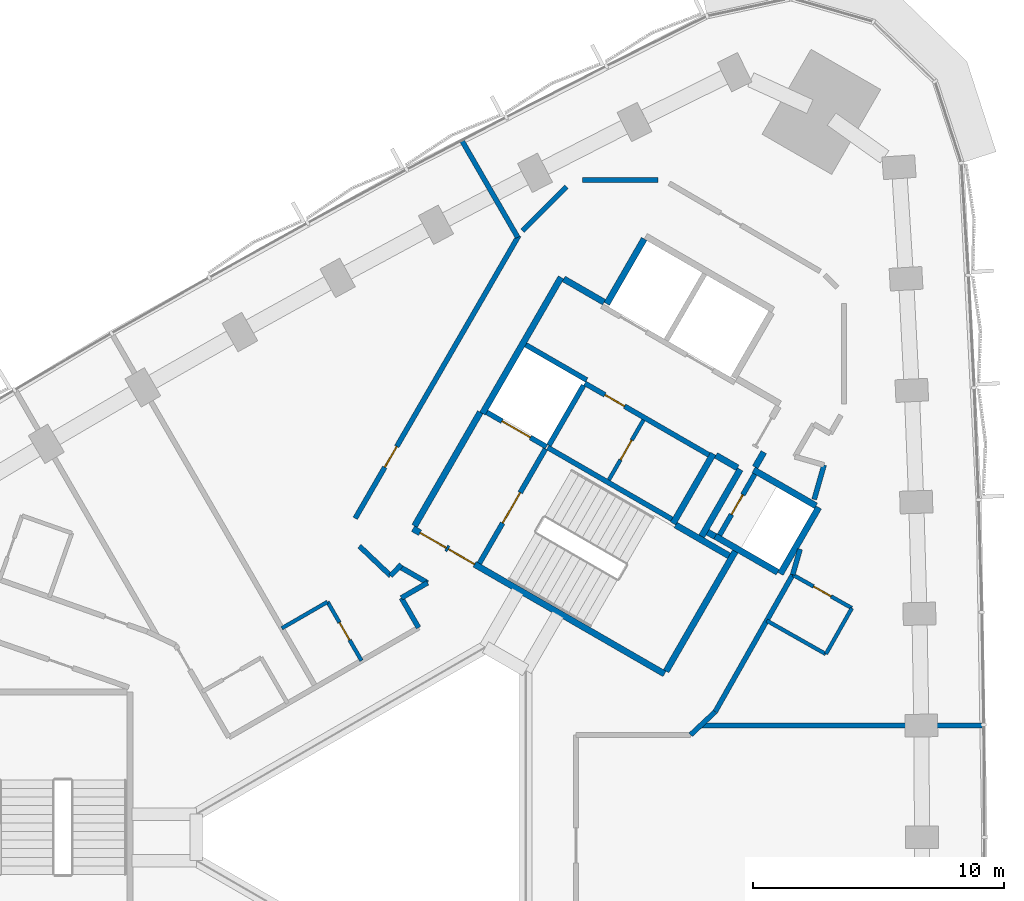
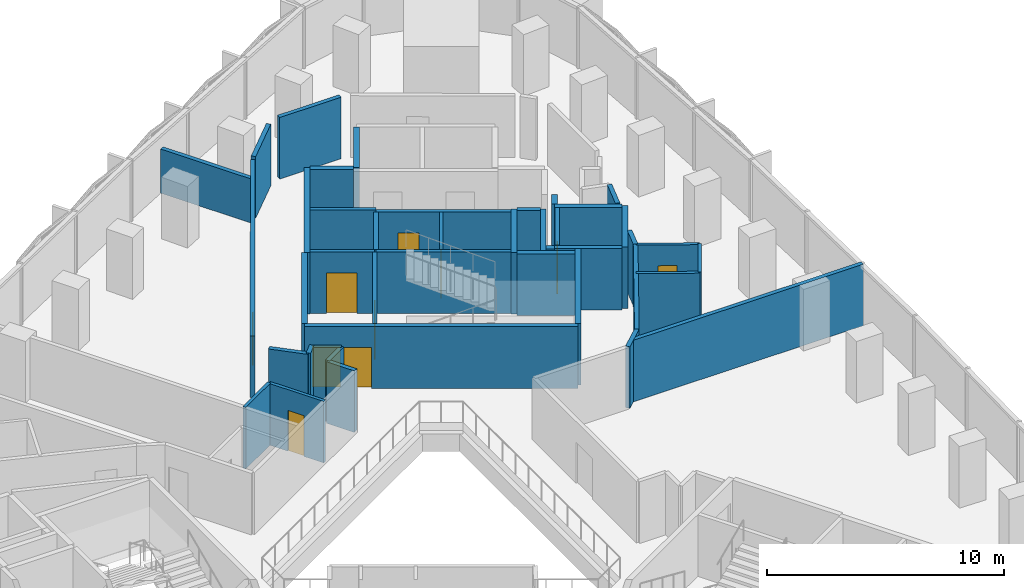
# One storey, part 10 of 15: 42 walls, 10 doors, 10 openings.
"""IFC4 building model written with IfcOpenShell, lengths in metres."""

import ifcopenshell
import ifcopenshell.guid

model = None  # the IFC model being written
_history = None  # IfcOwnerHistory: only IFC2X3 demands one
_inside = {}  # id of a spatial element -> (the spatial element, [elements in it])
_under = {}  # id of a project, library or spatial element -> (it, [spatial elements below it])
_declared = {}  # id of a project -> (the project, [libraries it declares])
_typed = {}  # id of a type object -> (the type object, [elements of that type])
_made_of = {}  # id of a material, layer set ... -> (it, [elements and type objects made of it])


def new_model(schema):
    """Start an empty IFC model of exactly this schema.

    Asked for "IFC4X3", IfcOpenShell would pick the latest addendum, in which some entities
    have other attributes; the version numbers below select the first issue.
    IFC2X3 requires an IfcOwnerHistory on every rooted entity: one is made here for all.
    """
    global model, _history
    if schema == "IFC4X3":
        model = ifcopenshell.file(schema_version=(4, 3, 0, 0))
    else:
        model = ifcopenshell.file(schema=schema)
    _inside.clear()
    _under.clear()
    _declared.clear()
    _typed.clear()
    _made_of.clear()
    _history = None
    if model.schema == "IFC2X3":
        org = make("IfcOrganization", Name="unknown")
        user = make(
            "IfcPersonAndOrganization",
            ThePerson=make("IfcPerson", FamilyName="unknown"),
            TheOrganization=org,
        )
        app = make(
            "IfcApplication",
            ApplicationDeveloper=org,
            Version="unknown",
            ApplicationFullName="unknown",
            ApplicationIdentifier="unknown",
        )
        _history = make(
            "IfcOwnerHistory",
            OwningUser=user,
            OwningApplication=app,
            ChangeAction="ADDED",
            CreationDate=0,
        )
    return model


def make(cls, **values):
    """One entity of the class cls with the attributes given. An attribute that is None is left unset."""
    return model.create_entity(
        cls, **{name: value for name, value in values.items() if value is not None}
    )


def rooted(cls, **values):
    """An entity with a GlobalId (a new one), such as an element, a storey or a relation."""
    return make(cls, GlobalId=ifcopenshell.guid.new(), OwnerHistory=_history, **values)


def si_unit(unit_type, name, prefix=None):
    """IfcSIUnit, for example si_unit("LENGTHUNIT", "METRE", prefix="MILLI")."""
    return make("IfcSIUnit", UnitType=unit_type, Prefix=prefix, Name=name)


def assignment(units):
    """IfcUnitAssignment: the units of a project."""
    return None if units is None else make("IfcUnitAssignment", Units=units)


def point(xyz):
    """IfcCartesianPoint."""
    return None if xyz is None else make("IfcCartesianPoint", Coordinates=xyz)


def direction(xyz):
    """IfcDirection."""
    return None if xyz is None else make("IfcDirection", DirectionRatios=xyz)


def frame(location, z_axis=None, x_axis=None):
    """IfcAxis2Placement3D, a coordinate frame: its origin and axes. An axis left out is left unset."""
    return make(
        "IfcAxis2Placement3D",
        Location=point(location),
        Axis=direction(z_axis),
        RefDirection=direction(x_axis),
    )


def frame_2d(location, x_axis=None):
    """IfcAxis2Placement2D, a coordinate frame in the plane: its origin and x axis."""
    return make(
        "IfcAxis2Placement2D", Location=point(location), RefDirection=direction(x_axis)
    )


def origin():
    """The frame at (0, 0, 0) with its axes left unset."""
    return frame((0.0, 0.0, 0.0))


def place(relative_to, where):
    """IfcLocalPlacement: puts the frame where relative to a parent placement (None: the world)."""
    return make(
        "IfcLocalPlacement", PlacementRelTo=relative_to, RelativePlacement=where
    )


def context(
    kind, dimensions, precision=None, world=None, true_north=None, identifier=None
):
    """IfcGeometricRepresentationContext, for example the 3D "Model" context."""
    return make(
        "IfcGeometricRepresentationContext",
        ContextIdentifier=identifier,
        ContextType=kind,
        CoordinateSpaceDimension=dimensions,
        Precision=precision,
        WorldCoordinateSystem=world,
        TrueNorth=true_north,
    )


def subcontext(parent, identifier, kind, view, scale=None):
    """IfcGeometricRepresentationSubContext, for example "Body" below "Model"."""
    return make(
        "IfcGeometricRepresentationSubContext",
        ContextIdentifier=identifier,
        ContextType=kind,
        ParentContext=parent,
        TargetScale=scale,
        TargetView=view,
    )


def project(units=None, contexts=None):
    """IfcProject with its units and contexts."""
    return rooted(
        "IfcProject",
        Name="project",
        RepresentationContexts=contexts,
        UnitsInContext=assignment(units),
    )


def spatial(cls, under=None, at=None, **own):
    """A site, building, storey or space (cls), placed at a placement, below another one or the project."""
    s = rooted(cls, ObjectPlacement=at, **own)
    if under is not None:
        _under.setdefault(under.id(), (under, []))[1].append(s)
    return s


def profile(cls, at=None, kind="AREA", **sizes):
    """A parametric profile (cls). Its sizes go by their IFC names, for example OverallWidth=200.0."""
    return make(cls, ProfileType=kind, Position=at, **sizes)


def rectangle(**sizes):
    """IfcRectangleProfileDef."""
    return profile("IfcRectangleProfileDef", **sizes)


def extrude(swept, where, along, depth):
    """IfcExtrudedAreaSolid: the profile swept, set in the frame where, extruded along a direction by depth."""
    return make(
        "IfcExtrudedAreaSolid",
        SweptArea=swept,
        Position=where,
        ExtrudedDirection=direction(along),
        Depth=depth,
    )


def shape(context_of_items, identifier, shape_type, items):
    """IfcShapeRepresentation: the items that make up one representation, for example the "Body"."""
    return make(
        "IfcShapeRepresentation",
        ContextOfItems=context_of_items,
        RepresentationIdentifier=identifier,
        RepresentationType=shape_type,
        Items=items,
    )


def material(Name=None, Category=None):
    """IfcMaterial."""
    return make("IfcMaterial", Name=Name, Category=Category)


def layer(
    of_material, thickness, ventilated=None, Name=None, Category=None, Priority=None
):
    """IfcMaterialLayer: one layer of a wall or slab, of a material (None: an air gap)."""
    return make(
        "IfcMaterialLayer",
        Material=of_material,
        LayerThickness=thickness,
        IsVentilated=ventilated,
        Name=Name,
        Category=Category,
        Priority=Priority,
    )


def layer_set(layers, Name=None):
    """IfcMaterialLayerSet."""
    return make("IfcMaterialLayerSet", MaterialLayers=layers, LayerSetName=Name)


def made_of(thing, what):
    """Note that an element or type object is made of a material, layer set ...; save() writes the relation."""
    if what is not None:
        _made_of.setdefault(what.id(), (what, []))[1].append(thing)
    return thing


def type_object(cls, material=None, **own):
    """A type object (cls), such as IfcWallType, which elements share."""
    return made_of(rooted(cls, **own), material)


def element(
    cls,
    number,
    at=None,
    inside=None,
    cuts=None,
    type_object=None,
    material=None,
    context=None,
    identifier="Body",
    shape_type=None,
    held_by="IfcProductDefinitionShape",
    body=None,
    shapes=None,
    **own,
):
    """One element of the class cls, such as IfcWall. Its Tag is "e" and its number.

    at: its placement. inside: the storey or other place that contains it. cuts: it is an
    opening in that element (IfcRelVoidsElement). A single representation is given by context,
    identifier, shape_type and body (its items); several are given by shapes. held_by: the class
    of the entity that holds the representations. save() writes the other relations.
    """
    e = rooted(cls, Tag="e%d" % number, ObjectPlacement=at, **own)
    if body is not None:
        shapes = [shape(context, identifier, shape_type, body)]
    if shapes is not None:
        e.Representation = make(held_by, Representations=shapes)
    if inside is not None:
        _inside.setdefault(inside.id(), (inside, []))[1].append(e)
    if cuts is not None:
        rooted(
            "IfcRelVoidsElement", RelatingBuildingElement=cuts, RelatedOpeningElement=e
        )
    if type_object is not None:
        _typed.setdefault(type_object.id(), (type_object, []))[1].append(e)
    return made_of(e, material)


def fill(opening, filler):
    """IfcRelFillsElement: the door or window that sits in an opening."""
    return rooted(
        "IfcRelFillsElement",
        RelatingOpeningElement=opening,
        RelatedBuildingElement=filler,
    )


def aggregate(whole, parts):
    """IfcRelAggregates: a whole, such as a stair, and the parts it consists of."""
    return rooted("IfcRelAggregates", RelatingObject=whole, RelatedObjects=parts)


def save(model, path):
    """Write the relations noted so far, then the file.

    IfcRelAggregates (storeys below a building ...), IfcRelContainedInSpatialStructure (elements
    in a storey), IfcRelDefinesByType, IfcRelAssociatesMaterial and IfcRelDeclares: one each for
    every whole, place, type object, material and project.
    """
    for whole, parts in _under.values():
        aggregate(whole, parts)
    for where, things in _inside.values():
        rooted(
            "IfcRelContainedInSpatialStructure",
            RelatedElements=things,
            RelatingStructure=where,
        )
    for kind, things in _typed.values():
        rooted("IfcRelDefinesByType", RelatedObjects=things, RelatingType=kind)
    for what, things in _made_of.values():
        rooted("IfcRelAssociatesMaterial", RelatedObjects=things, RelatingMaterial=what)
    for by, libraries in _declared.values():
        rooted("IfcRelDeclares", RelatingContext=by, RelatedDefinitions=libraries)
    model.write(path)


model = new_model("IFC4")

# Units and contexts
model_context = context("Model", 3, precision=1e-05, world=origin(), true_north=direction((0.0, 1.0)))
body_context = subcontext(model_context, "Body", "Model", "MODEL_VIEW")
ifc_project = project(units=[si_unit("LENGTHUNIT", "METRE"), si_unit("AREAUNIT", "SQUARE_METRE"), si_unit("VOLUMEUNIT", "CUBIC_METRE"), si_unit("PLANEANGLEUNIT", "RADIAN"), si_unit("MASSUNIT", "GRAM", prefix="KILO")], contexts=[model_context])

# Site, building, storey
site_placement = place(None, origin())
site = spatial("IfcSite", under=ifc_project, at=site_placement, CompositionType="ELEMENT")
building_placement = place(site_placement, origin())
building = spatial("IfcBuilding", under=site, at=building_placement, Name="Tamra Quay Hotel Tower", CompositionType="ELEMENT")
storey_placement = place(building_placement, frame((0.0, 0.0, 108.199951171875)))
storey = spatial("IfcBuildingStorey", under=building, at=storey_placement, Name="L26", CompositionType="ELEMENT", Elevation=108.199951171875)

# Wall
ifc_material_1 = material(Name="Concrete M70", Category="concrete")
ifc_layer_1 = layer(ifc_material_1, 0.199951171875)
ifc_layer_set_1 = layer_set([ifc_layer_1], Name="Concrete M70 core wall 200")
wall_type_1 = type_object("IfcWallType", Name="Concrete M70 core wall 200", PredefinedType="SHEAR", material=ifc_layer_set_1)
wall_1_placement = place(storey_placement, frame((5.774658203125, 15.501953125, 0.0), z_axis=(0.0, 0.0, 1.0), x_axis=(0.866020080793, -0.500009219579, 0.0)))
element("IfcWall", 1, at=wall_1_placement, inside=storey, type_object=wall_type_1, Name="CW2", PredefinedType="SHEAR", context=body_context, shape_type="SweptSolid", body=[
    extrude(rectangle(XDim=5.69921875, YDim=0.199951171875, at=frame_2d((2.849609375, 0.0))), origin(), (0.0, 0.0, 1.0), 3.175048828125),
])

# Wall, opening, door
wall_2_placement = place(storey_placement, frame((12.18505859375, 15.20703125, 0.0), z_axis=(0.0, 0.0, 1.0), x_axis=(-0.866020080793, 0.500009219579, 0.0)))
wall_2 = element("IfcWall", 2, at=wall_2_placement, inside=storey, type_object=wall_type_1, Name="CW2", PredefinedType="SHEAR", context=body_context, shape_type="SweptSolid", body=[
    extrude(rectangle(XDim=5.69921875, YDim=0.199951171875, at=frame_2d((2.849609375, 0.0))), origin(), (0.0, 0.0, 1.0), 3.175048828125),
])
opening_1_placement = place(wall_2_placement, frame((3.8740234375, 0.0, 0.0)))
opening_1 = element("IfcOpeningElement", 3, at=opening_1_placement, cuts=wall_2, Name="Opening D2", PredefinedType="OPENING", context=body_context, shape_type="SweptSolid", body=[
    extrude(rectangle(XDim=0.89990234375, YDim=2.10009765625, at=frame_2d((0.449951171875, 1.050048828125))), frame((0.0, 0.10986328125, 0.0), z_axis=(0.0, -1.0, 0.0), x_axis=(1.0, 0.0, 0.0)), (0.0, 0.0, 1.0), 0.219970703125),
])
ifc_material_2 = material(Name="Core door D2 900x2100 RH")
door_type_1 = type_object("IfcDoorType", Name="Core door D2 900x2100 RH", OperationType="NOTDEFINED", PredefinedType="DOOR", material=ifc_material_2)
door_1_placement = place(opening_1_placement, origin())
door_1 = element("IfcDoor", 4, at=door_1_placement, inside=storey, type_object=door_type_1, Name="D2", OperationType="SINGLE_SWING_RIGHT", OverallHeight=2.10009765625, OverallWidth=0.89990234375, PredefinedType="DOOR", context=body_context, shape_type="SweptSolid", body=[
    extrude(rectangle(XDim=0.89990234375, YDim=2.10009765625, at=frame_2d((0.449951171875, 1.050048828125))), frame((0.0, 0.02490234375, 0.0), z_axis=(0.0, -1.0, 0.0), x_axis=(1.0, 0.0, 0.0)), (0.0, 0.0, 1.0), 0.050048828125),
])
fill(opening_1, door_1)

wall_3_placement = place(storey_placement, frame((3.056640625, 10.89453125, 0.0), z_axis=(0.0, 0.0, 1.0), x_axis=(0.499989418164, 0.866031513124, 0.0)))
wall_3 = element("IfcWall", 5, at=wall_3_placement, inside=storey, type_object=wall_type_1, Name="CW2", PredefinedType="SHEAR", context=body_context, shape_type="SweptSolid", body=[
    extrude(rectangle(XDim=5.2509765625, YDim=0.199951171875, at=frame_2d((2.62548828125, 0.0))), origin(), (0.0, 0.0, 1.0), 3.175048828125),
])
opening_2_placement = place(wall_3_placement, frame((1.84912109375, 0.0, 0.0)))
opening_2 = element("IfcOpeningElement", 6, at=opening_2_placement, cuts=wall_3, Name="Opening FD2", PredefinedType="OPENING", context=body_context, shape_type="SweptSolid", body=[
    extrude(rectangle(XDim=1.39990234375, YDim=2.10009765625, at=frame_2d((0.699951171875, 1.050048828125))), frame((0.0, 0.10986328125, 0.0), z_axis=(0.0, -1.0, 0.0), x_axis=(1.0, 0.0, 0.0)), (0.0, 0.0, 1.0), 0.219970703125),
])
ifc_material_3 = material(Name="Core door FD2 1400x2100 LH")
door_type_2 = type_object("IfcDoorType", Name="Core door FD2 1400x2100 LH", OperationType="NOTDEFINED", PredefinedType="DOOR", material=ifc_material_3)
door_2_placement = place(opening_2_placement, origin())
door_2 = element("IfcDoor", 7, at=door_2_placement, inside=storey, type_object=door_type_2, Name="FD2", OperationType="SINGLE_SWING_LEFT", OverallHeight=2.10009765625, OverallWidth=1.39990234375, PredefinedType="DOOR", context=body_context, shape_type="SweptSolid", body=[
    extrude(rectangle(XDim=1.39990234375, YDim=2.10009765625, at=frame_2d((0.699951171875, 1.050048828125))), frame((0.0, 0.02490234375, 0.0), z_axis=(0.0, -1.0, 0.0), x_axis=(1.0, 0.0, 0.0)), (0.0, 0.0, 1.0), 0.050048828125),
])
fill(opening_2, door_2)

wall_4_placement = place(storey_placement, frame((14.0078125, 14.442138671875, 0.0), z_axis=(0.0, 0.0, 1.0), x_axis=(-0.499986818241, -0.866033014143, 0.0)))
wall_4 = element("IfcWall", 8, at=wall_4_placement, inside=storey, type_object=wall_type_1, Name="CW2", PredefinedType="SHEAR", context=body_context, shape_type="SweptSolid", body=[
    extrude(rectangle(XDim=2.7978515625, YDim=0.199951171875, at=frame_2d((1.39892578125, 0.0))), origin(), (0.0, 0.0, 1.0), 3.175048828125),
])
opening_3_placement = place(wall_4_placement, frame((0.948974609375, 0.0, 0.0)))
opening_3 = element("IfcOpeningElement", 9, at=opening_3_placement, cuts=wall_4, Name="Opening D1", PredefinedType="OPENING", context=body_context, shape_type="SweptSolid", body=[
    extrude(rectangle(XDim=0.89990234375, YDim=2.10009765625, at=frame_2d((0.449951171875, 1.050048828125))), frame((0.0, 0.10986328125, 0.0), z_axis=(0.0, -1.0, 0.0), x_axis=(1.0, 0.0, 0.0)), (0.0, 0.0, 1.0), 0.219970703125),
])
ifc_material_4 = material(Name="Core door D1 900x2100 LH")
door_type_3 = type_object("IfcDoorType", Name="Core door D1 900x2100 LH", OperationType="NOTDEFINED", PredefinedType="DOOR", material=ifc_material_4)
door_3_placement = place(opening_3_placement, origin())
door_3 = element("IfcDoor", 10, at=door_3_placement, inside=storey, type_object=door_type_3, Name="D1", OperationType="SINGLE_SWING_LEFT", OverallHeight=2.10009765625, OverallWidth=0.89990234375, PredefinedType="DOOR", context=body_context, shape_type="SweptSolid", body=[
    extrude(rectangle(XDim=0.89990234375, YDim=2.10009765625, at=frame_2d((0.449951171875, 1.050048828125))), frame((0.0, 0.02490234375, 0.0), z_axis=(0.0, -1.0, 0.0), x_axis=(1.0, 0.0, 0.0)), (0.0, 0.0, 1.0), 0.050048828125),
])
fill(opening_3, door_3)

# Wall
wall_5_placement = place(storey_placement, frame((7.199462890625, 17.969970703125, 0.0), z_axis=(0.0, 0.0, 1.0), x_axis=(-0.499968400327, -0.866043647095, 0.0)))
element("IfcWall", 11, at=wall_5_placement, inside=storey, type_object=wall_type_1, Name="CW2", PredefinedType="SHEAR", context=body_context, shape_type="SweptSolid", body=[
    extrude(rectangle(XDim=2.749755859375, YDim=0.199951171875, at=frame_2d((1.375, 0.0))), origin(), (0.0, 0.0, 1.0), 3.175048828125),
])

# Wall, opening, door
wall_6_placement = place(storey_placement, frame((5.72509765625, 15.530517578125, 0.0), z_axis=(0.0, 0.0, 1.0), x_axis=(-0.866037306777, 0.499979382845, 0.0)))
wall_6 = element("IfcWall", 12, at=wall_6_placement, inside=storey, type_object=wall_type_1, Name="CW2", PredefinedType="SHEAR", context=body_context, shape_type="SweptSolid", body=[
    extrude(rectangle(XDim=2.74169921875, YDim=0.199951171875, at=frame_2d((1.370849609375, 0.0))), origin(), (0.0, 0.0, 1.0), 3.175048828125),
])
opening_4_placement = place(wall_6_placement, frame((0.742919921875, 0.0, 0.0)))
opening_4 = element("IfcOpeningElement", 13, at=opening_4_placement, cuts=wall_6, Name="Opening LD", PredefinedType="OPENING", context=body_context, shape_type="SweptSolid", body=[
    extrude(rectangle(XDim=1.300048828125, YDim=2.10009765625, at=frame_2d((0.64990234375, 1.050048828125))), frame((0.0, 0.10986328125, 0.0), z_axis=(0.0, -1.0, 0.0), x_axis=(1.0, 0.0, 0.0)), (0.0, 0.0, 1.0), 0.219970703125),
])
ifc_material_5 = material(Name="Landing door LD 1300 sliding to left")
door_type_4 = type_object("IfcDoorType", Name="Landing door LD 1300 sliding to left", OperationType="NOTDEFINED", PredefinedType="DOOR", material=ifc_material_5)
door_4_placement = place(opening_4_placement, origin())
door_4 = element("IfcDoor", 14, at=door_4_placement, inside=storey, type_object=door_type_4, Name="LD", OperationType="SLIDING_TO_LEFT", OverallHeight=2.10009765625, OverallWidth=1.300048828125, PredefinedType="DOOR", context=body_context, shape_type="SweptSolid", body=[
    extrude(rectangle(XDim=1.300048828125, YDim=2.10009765625, at=frame_2d((0.64990234375, 1.050048828125))), frame((0.0, 0.02490234375, 0.0), z_axis=(0.0, -1.0, 0.0), x_axis=(1.0, 0.0, 0.0)), (0.0, 0.0, 1.0), 0.050048828125),
])
fill(opening_4, door_4)

# Wall
wall_7_placement = place(storey_placement, frame((4.900634765625, 19.5859375, 0.0), z_axis=(0.0, 0.0, 1.0), x_axis=(0.866022890907, -0.500004352405, 0.0)))
element("IfcWall", 15, at=wall_7_placement, inside=storey, type_object=wall_type_1, Name="CW2", PredefinedType="SHEAR", context=body_context, shape_type="SweptSolid", body=[
    extrude(rectangle(XDim=2.798828125, YDim=0.199951171875, at=frame_2d((1.3994140625, 0.0))), origin(), (0.0, 0.0, 1.0), 3.175048828125),
])

# Wall, openings, doors
ifc_layer_2 = layer(ifc_material_1, 0.25)
ifc_layer_set_2 = layer_set([ifc_layer_2], Name="Concrete M70 core wall 250")
wall_type_2 = type_object("IfcWallType", Name="Concrete M70 core wall 250", PredefinedType="SHEAR", material=ifc_layer_set_2)
wall_8_placement = place(storey_placement, frame((10.419921875, 6.497802734375, 0.0), z_axis=(0.0, 0.0, 1.0), x_axis=(-0.866021906294, 0.500006057782, 0.0)))
wall_8 = element("IfcWall", 16, at=wall_8_placement, inside=storey, type_object=wall_type_2, Name="CW1", PredefinedType="SHEAR", context=body_context, shape_type="SweptSolid", body=[
    extrude(rectangle(XDim=11.550048828125, YDim=0.25, at=frame_2d((5.77490234375, 0.0))), origin(), (0.0, 0.0, 1.0), 3.175048828125),
])
opening_5_placement = place(wall_8_placement, frame((10.02490234375, 0.0, 0.0)))
opening_5 = element("IfcOpeningElement", 17, at=opening_5_placement, cuts=wall_8, Name="Opening FD1", PredefinedType="OPENING", context=body_context, shape_type="SweptSolid", body=[
    extrude(rectangle(XDim=1.199951171875, YDim=2.10009765625, at=frame_2d((0.60009765625, 1.050048828125))), frame((0.0, 0.135009765625, 0.0), z_axis=(0.0, -1.0, 0.0), x_axis=(1.0, 0.0, 0.0)), (0.0, 0.0, 1.0), 0.27001953125),
])
opening_6_placement = place(wall_8_placement, frame((8.724853515625, 0.0, 0.0)))
opening_6 = element("IfcOpeningElement", 18, at=opening_6_placement, cuts=wall_8, Name="Opening FD1", PredefinedType="OPENING", context=body_context, shape_type="SweptSolid", body=[
    extrude(rectangle(XDim=1.199951171875, YDim=2.10009765625, at=frame_2d((0.60009765625, 1.050048828125))), frame((0.0, 0.135009765625, 0.0), z_axis=(0.0, -1.0, 0.0), x_axis=(1.0, 0.0, 0.0)), (0.0, 0.0, 1.0), 0.27001953125),
])
ifc_material_6 = material(Name="Core door FD1 1200x2100 LH")
door_type_5 = type_object("IfcDoorType", Name="Core door FD1 1200x2100 LH", OperationType="NOTDEFINED", PredefinedType="DOOR", material=ifc_material_6)
door_5_placement = place(opening_5_placement, origin())
door_5 = element("IfcDoor", 19, at=door_5_placement, inside=storey, type_object=door_type_5, Name="FD1", OperationType="SINGLE_SWING_LEFT", OverallHeight=2.10009765625, OverallWidth=1.199951171875, PredefinedType="DOOR", context=body_context, shape_type="SweptSolid", body=[
    extrude(rectangle(XDim=1.199951171875, YDim=2.10009765625, at=frame_2d((0.60009765625, 1.050048828125))), frame((0.0, 0.02490234375, 0.0), z_axis=(0.0, -1.0, 0.0), x_axis=(1.0, 0.0, 0.0)), (0.0, 0.0, 1.0), 0.050048828125),
])
fill(opening_5, door_5)
ifc_material_7 = material(Name="Core door FD1 1200x2100 RH")
door_type_6 = type_object("IfcDoorType", Name="Core door FD1 1200x2100 RH", OperationType="NOTDEFINED", PredefinedType="DOOR", material=ifc_material_7)
door_6_placement = place(opening_6_placement, origin())
door_6 = element("IfcDoor", 20, at=door_6_placement, inside=storey, type_object=door_type_6, Name="FD1", OperationType="SINGLE_SWING_RIGHT", OverallHeight=2.10009765625, OverallWidth=1.199951171875, PredefinedType="DOOR", context=body_context, shape_type="SweptSolid", body=[
    extrude(rectangle(XDim=1.199951171875, YDim=2.10009765625, at=frame_2d((0.60009765625, 1.050048828125))), frame((0.0, 0.02490234375, 0.0), z_axis=(0.0, -1.0, 0.0), x_axis=(1.0, 0.0, 0.0)), (0.0, 0.0, 1.0), 0.050048828125),
])
fill(opening_6, door_6)

# Walls
wall_9_placement = place(storey_placement, frame((3.178955078125, 16.856201171875, 0.0), z_axis=(0.0, 0.0, 1.0), x_axis=(0.500004234368, 0.866022959057, 0.0)))
element("IfcWall", 21, at=wall_9_placement, inside=storey, type_object=wall_type_2, Name="CW1", PredefinedType="SHEAR", context=body_context, shape_type="SweptSolid", body=[
    extrude(rectangle(XDim=6.25, YDim=0.25, at=frame_2d((3.125, 0.0))), origin(), (0.0, 0.0, 1.0), 3.175048828125),
])
wall_10_placement = place(storey_placement, frame((0.47998046875, 12.38134765625, 0.0), z_axis=(0.0, 0.0, 1.0), x_axis=(0.49999885962, 0.866026062182, 0.0)))
element("IfcWall", 22, at=wall_10_placement, inside=storey, type_object=wall_type_2, Name="CW1", PredefinedType="SHEAR", context=body_context, shape_type="SweptSolid", body=[
    extrude(rectangle(XDim=5.224609375, YDim=0.25, at=frame_2d((2.6123046875, 0.0))), origin(), (0.0, 0.0, 1.0), 3.175048828125),
])
wall_11_placement = place(storey_placement, frame((13.237548828125, 11.3779296875, 0.0), z_axis=(0.0, 0.0, 1.0), x_axis=(-0.500008851346, -0.866020293397, 0.0)))
element("IfcWall", 23, at=wall_11_placement, inside=storey, type_object=wall_type_2, Name="CW1", PredefinedType="SHEAR", context=body_context, shape_type="SweptSolid", body=[
    extrude(rectangle(XDim=5.509765625, YDim=0.25, at=frame_2d((2.7548828125, 0.0))), origin(), (0.0, 0.0, 1.0), 3.175048828125),
])
wall_12_placement = place(storey_placement, frame((12.356689453125, 15.25244140625, 0.0), z_axis=(0.0, 0.0, 1.0), x_axis=(-0.500028443584, -0.866008981251, 0.0)))
element("IfcWall", 24, at=wall_12_placement, inside=storey, type_object=wall_type_2, Name="CW1", PredefinedType="SHEAR", context=body_context, shape_type="SweptSolid", body=[
    extrude(rectangle(XDim=3.199951171875, YDim=0.25, at=frame_2d((1.60009765625, 0.0))), origin(), (0.0, 0.0, 1.0), 3.175048828125),
])
wall_13_placement = place(storey_placement, frame((8.12255859375, 21.21875, 0.0), z_axis=(0.0, 0.0, 1.0), x_axis=(0.499987686533, 0.866032512851, 0.0)))
element("IfcWall", 25, at=wall_13_placement, inside=storey, type_object=wall_type_2, Name="CW1", PredefinedType="SHEAR", context=body_context, shape_type="SweptSolid", body=[
    extrude(rectangle(XDim=2.974609375, YDim=0.25, at=frame_2d((1.4873046875, 0.0))), origin(), (0.0, 0.0, 1.0), 3.175048828125),
])
wall_14_placement = place(storey_placement, frame((16.552001953125, 13.118896484375, 0.0), z_axis=(0.0, 0.0, 1.0), x_axis=(-0.499978833458, -0.866037623948, 0.0)))
element("IfcWall", 26, at=wall_14_placement, inside=storey, type_object=wall_type_2, Name="CW1", PredefinedType="SHEAR", context=body_context, shape_type="SweptSolid", body=[
    extrude(rectangle(XDim=3.050048828125, YDim=0.25, at=frame_2d((1.52490234375, 0.0))), origin(), (0.0, 0.0, 1.0), 3.175048828125),
])
wall_15_placement = place(storey_placement, frame((14.91845703125, 10.540283203125, 0.0), z_axis=(0.0, 0.0, 1.0), x_axis=(-0.866063538972, 0.499933942099, 0.0)))
element("IfcWall", 27, at=wall_15_placement, inside=storey, type_object=wall_type_2, Name="CW1", PredefinedType="SHEAR", context=body_context, shape_type="SweptSolid", body=[
    extrude(rectangle(XDim=2.86474609375, YDim=0.25, at=frame_2d((1.432373046875, 0.0))), origin(), (0.0, 0.0, 1.0), 3.175048828125),
])
wall_16_placement = place(storey_placement, frame((13.962646484375, 14.61376953125, 0.0), z_axis=(0.0, 0.0, 1.0), x_axis=(0.866042235819, -0.499970844928, 0.0)))
element("IfcWall", 28, at=wall_16_placement, inside=storey, type_object=wall_type_2, Name="CW1", PredefinedType="SHEAR", context=body_context, shape_type="SweptSolid", body=[
    extrude(rectangle(XDim=2.864501953125, YDim=0.25, at=frame_2d((1.43212890625, 0.0))), origin(), (0.0, 0.0, 1.0), 3.175048828125),
])
wall_17_placement = place(storey_placement, frame((11.887939453125, 11.960693359375, 0.0), z_axis=(0.0, 0.0, 1.0), x_axis=(0.500003324108, 0.866023484601, 0.0)))
element("IfcWall", 29, at=wall_17_placement, inside=storey, type_object=wall_type_2, Name="CW1", PredefinedType="SHEAR", context=body_context, shape_type="SweptSolid", body=[
    extrude(rectangle(XDim=3.0849609375, YDim=0.25, at=frame_2d((1.54248046875, 0.0))), origin(), (0.0, 0.0, 1.0), 3.175048828125),
])
wall_18_placement = place(storey_placement, frame((10.865234375, 12.41845703125, 0.0), z_axis=(0.0, 0.0, 1.0), x_axis=(0.866026229868, -0.499998569178, 0.0)))
element("IfcWall", 30, at=wall_18_placement, inside=storey, type_object=wall_type_2, Name="CW1", PredefinedType="SHEAR", context=body_context, shape_type="SweptSolid", body=[
    extrude(rectangle(XDim=2.44921875, YDim=0.25, at=frame_2d((1.224609375, 0.0))), origin(), (0.0, 0.0, 1.0), 3.175048828125),
])
wall_19_placement = place(storey_placement, frame((6.41259765625, 22.2060546875, 0.0), z_axis=(0.0, 0.0, 1.0), x_axis=(0.866016279763, -0.500015802937, 0.0)))
element("IfcWall", 31, at=wall_19_placement, inside=storey, type_object=wall_type_2, Name="CW1", PredefinedType="SHEAR", context=body_context, shape_type="SweptSolid", body=[
    extrude(rectangle(XDim=1.84912109375, YDim=0.25, at=frame_2d((0.924560546875, 0.0))), origin(), (0.0, 0.0, 1.0), 3.175048828125),
])
wall_20_placement = place(storey_placement, frame((13.322021484375, 14.695068359375, 0.0), z_axis=(0.0, 0.0, 1.0), x_axis=(-0.866017078145, 0.500014420154, 0.0)))
element("IfcWall", 32, at=wall_20_placement, inside=storey, type_object=wall_type_2, Name="CW1", PredefinedType="SHEAR", context=body_context, shape_type="SweptSolid", body=[
    extrude(rectangle(XDim=0.9892578125, YDim=0.25, at=frame_2d((0.49462890625, 0.0))), origin(), (0.0, 0.0, 1.0), 3.175048828125),
])
wall_21_placement = place(storey_placement, frame((14.36767578125, 15.3154296875, 0.0), z_axis=(0.0, 0.0, 1.0), x_axis=(-0.499897359611, -0.866084655132, 0.0)))
element("IfcWall", 33, at=wall_21_placement, inside=storey, type_object=wall_type_2, Name="CW1", PredefinedType="SHEAR", context=body_context, shape_type="SweptSolid", body=[
    extrude(rectangle(XDim=0.684814453125, YDim=0.25, at=frame_2d((0.34228515625, 0.0))), origin(), (0.0, 0.0, 1.0), 3.175048828125),
])
wall_22_placement = place(storey_placement, frame((12.4326171875, 11.9638671875, 0.0), z_axis=(0.0, 0.0, 1.0), x_axis=(-0.866055875208, 0.499947218231, 0.0)))
element("IfcWall", 34, at=wall_22_placement, inside=storey, type_object=wall_type_2, Name="CW1", PredefinedType="SHEAR", context=body_context, shape_type="SweptSolid", body=[
    extrude(rectangle(XDim=0.3447265625, YDim=0.25, at=frame_2d((0.17236328125, 0.0))), origin(), (0.0, 0.0, 1.0), 3.175048828125),
])

# Wall, opening, door
ifc_material_8 = material(Name="Blockwork", Category="masonry")
ifc_layer_3 = layer(ifc_material_8, 0.14990234375)
ifc_layer_set_3 = layer_set([ifc_layer_3], Name="Core partition block 150")
wall_type_3 = type_object("IfcWallType", Name="Core partition block 150", PredefinedType="PARTITIONING", material=ifc_layer_set_3)
wall_23_placement = place(storey_placement, frame((8.20654296875, 14.214111328125, 0.0), z_axis=(0.0, 0.0, 1.0), x_axis=(0.499922376475, 0.866070215109, 0.0)))
wall_23 = element("IfcWall", 35, at=wall_23_placement, inside=storey, type_object=wall_type_3, Name="CP1", PredefinedType="PARTITIONING", context=body_context, shape_type="SweptSolid", body=[
    extrude(rectangle(XDim=2.74853515625, YDim=0.14990234375, at=frame_2d((1.374267578125, 0.0))), origin(), (0.0, 0.0, 1.0), 3.175048828125),
])
opening_7_placement = place(wall_23_placement, frame((0.92431640625, 0.0, 0.0)))
opening_7 = element("IfcOpeningElement", 36, at=opening_7_placement, cuts=wall_23, Name="Opening D2", PredefinedType="OPENING", context=body_context, shape_type="SweptSolid", body=[
    extrude(rectangle(XDim=0.89990234375, YDim=2.10009765625, at=frame_2d((0.449951171875, 1.050048828125))), frame((0.0, 0.0849609375, 0.0), z_axis=(0.0, -1.0, 0.0), x_axis=(1.0, 0.0, 0.0)), (0.0, 0.0, 1.0), 0.169921875),
])
door_7_placement = place(opening_7_placement, origin())
door_7 = element("IfcDoor", 37, at=door_7_placement, inside=storey, type_object=door_type_1, Name="D2", OperationType="SINGLE_SWING_RIGHT", OverallHeight=2.10009765625, OverallWidth=0.89990234375, PredefinedType="DOOR", context=body_context, shape_type="SweptSolid", body=[
    extrude(rectangle(XDim=0.89990234375, YDim=2.10009765625, at=frame_2d((0.449951171875, 1.050048828125))), frame((0.0, 0.02490234375, 0.0), z_axis=(0.0, -1.0, 0.0), x_axis=(1.0, 0.0, 0.0)), (0.0, 0.0, 1.0), 0.050048828125),
])
fill(opening_7, door_7)

ifc_material_9 = material(Name="Partition corridor wall")
ifc_layer_4 = layer(ifc_material_9, 0.199951171875)
ifc_layer_set_4 = layer_set([ifc_layer_4], Name="Partition corridor wall")
wall_type_4 = type_object("IfcWallType", Name="Partition corridor wall", PredefinedType="PARTITIONING", material=ifc_layer_set_4)
wall_24_placement = place(storey_placement, frame((-1.880615234375, 12.685546875, 0.0), z_axis=(0.0, 0.0, 1.0), x_axis=(0.500626612016, 0.865663326786, 0.0)))
wall_24 = element("IfcWall", 38, at=wall_24_placement, inside=storey, type_object=wall_type_4, Name="W-C", PredefinedType="PARTITIONING", context=body_context, shape_type="SweptSolid", body=[
    extrude(rectangle(XDim=12.992919921875, YDim=0.199951171875, at=frame_2d((6.49658203125, 0.0))), origin(), (0.0, 0.0, 1.0), 3.175048828125),
])
opening_8_placement = place(wall_24_placement, frame((2.35009765625, 0.0, 0.0)))
opening_8 = element("IfcOpeningElement", 39, at=opening_8_placement, cuts=wall_24, Name="Opening L26-D004", PredefinedType="OPENING", context=body_context, shape_type="SweptSolid", body=[
    extrude(rectangle(XDim=0.949951171875, YDim=2.10009765625, at=frame_2d((0.47509765625, 1.050048828125))), frame((0.0, 0.10986328125, 0.0), z_axis=(0.0, -1.0, 0.0), x_axis=(1.0, 0.0, 0.0)), (0.0, 0.0, 1.0), 0.219970703125),
])
ifc_material_10 = material(Name="Door guest room 950x2100")
door_type_7 = type_object("IfcDoorType", Name="Door guest room 950x2100", OperationType="NOTDEFINED", PredefinedType="DOOR", material=ifc_material_10)
door_8_placement = place(opening_8_placement, origin())
door_8 = element("IfcDoor", 40, at=door_8_placement, inside=storey, type_object=door_type_7, Name="L26-D004", OperationType="SINGLE_SWING_LEFT", OverallHeight=2.10009765625, OverallWidth=0.949951171875, PredefinedType="DOOR", context=body_context, shape_type="SweptSolid", body=[
    extrude(rectangle(XDim=0.949951171875, YDim=2.10009765625, at=frame_2d((0.47509765625, 1.050048828125))), frame((0.0, 0.02490234375, 0.0), z_axis=(0.0, -1.0, 0.0), x_axis=(1.0, 0.0, 0.0)), (0.0, 0.0, 1.0), 0.050048828125),
])
fill(opening_8, door_8)

# Walls
wall_25_placement = place(storey_placement, frame((-1.716064453125, 11.580078125, 0.0), z_axis=(0.0, 0.0, 1.0), x_axis=(0.725241197616, -0.68849488399, 0.0)))
element("IfcWall", 41, at=wall_25_placement, inside=storey, type_object=wall_type_4, Name="W-C", PredefinedType="PARTITIONING", context=body_context, shape_type="SweptSolid", body=[
    extrude(rectangle(XDim=1.714111328125, YDim=0.199951171875, at=frame_2d((0.85693359375, 0.0))), origin(), (0.0, 0.0, 1.0), 3.175048828125),
])
wall_26_placement = place(storey_placement, frame((-0.472900390625, 10.39990234375, 0.0), z_axis=(0.0, 0.0, 1.0), x_axis=(0.688997330597, 0.724763877708, 0.0)))
element("IfcWall", 42, at=wall_26_placement, inside=storey, type_object=wall_type_4, Name="W-C", PredefinedType="PARTITIONING", context=body_context, shape_type="SweptSolid", body=[
    extrude(rectangle(XDim=0.62109375, YDim=0.199951171875, at=frame_2d((0.310546875, 0.0))), origin(), (0.0, 0.0, 1.0), 3.175048828125),
])
wall_27_placement = place(storey_placement, frame((-0.044921875, 9.52099609375, 0.0), z_axis=(0.0, 0.0, 1.0), x_axis=(0.499804837697, -0.866138051476, 0.0)))
element("IfcWall", 43, at=wall_27_placement, inside=storey, type_object=wall_type_4, Name="W-C", PredefinedType="PARTITIONING", context=body_context, shape_type="SweptSolid", body=[
    extrude(rectangle(XDim=1.3681640625, YDim=0.199951171875, at=frame_2d((0.68408203125, 0.0))), origin(), (0.0, 0.0, 1.0), 3.175048828125),
])
wall_28_placement = place(storey_placement, frame((-0.044921875, 9.52197265625, 0.0), z_axis=(0.0, 0.0, 1.0), x_axis=(0.86625675314, 0.499599076899, 0.0)))
element("IfcWall", 44, at=wall_28_placement, inside=storey, type_object=wall_type_4, Name="W-C", PredefinedType="PARTITIONING", context=body_context, shape_type="SweptSolid", body=[
    extrude(rectangle(XDim=1.19921875, YDim=0.199951171875, at=frame_2d((0.599609375, 0.0))), origin(), (0.0, 0.0, 1.0), 3.175048828125),
])
wall_29_placement = place(storey_placement, frame((-0.044921875, 10.720947265625, 0.0), z_axis=(0.0, 0.0, 1.0), x_axis=(0.865992388649, -0.500057179532, 0.0)))
element("IfcWall", 45, at=wall_29_placement, inside=storey, type_object=wall_type_4, Name="W-C", PredefinedType="PARTITIONING", context=body_context, shape_type="SweptSolid", body=[
    extrude(rectangle(XDim=1.199462890625, YDim=0.199951171875, at=frame_2d((0.599609375, 0.0))), origin(), (0.0, 0.0, 1.0), 3.175048828125),
])
wall_30_placement = place(storey_placement, frame((4.76708984375, 24.117919921875, 0.0), z_axis=(0.0, 0.0, 1.0), x_axis=(0.7069095133, 0.707303994055, 0.0)))
element("IfcWall", 46, at=wall_30_placement, inside=storey, type_object=wall_type_4, Name="W-C", PredefinedType="PARTITIONING", context=body_context, shape_type="SweptSolid", body=[
    extrude(rectangle(XDim=2.4755859375, YDim=0.199951171875, at=frame_2d((1.23779296875, 0.0))), origin(), (0.0, 0.0, 1.0), 3.175048828125),
])
wall_31_placement = place(storey_placement, frame((7.154052734375, 26.132080078125, 0.0), z_axis=(0.0, 0.0, 1.0), x_axis=(1.0, 0.0, 0.0)))
element("IfcWall", 47, at=wall_31_placement, inside=storey, type_object=wall_type_4, Name="W-C", PredefinedType="PARTITIONING", context=body_context, shape_type="SweptSolid", body=[
    extrude(rectangle(XDim=3.0, YDim=0.199951171875, at=frame_2d((1.5, 0.0))), origin(), (0.0, 0.0, 1.0), 3.175048828125),
])
wall_32_placement = place(storey_placement, frame((11.4580078125, 4.077880859375, 0.0), z_axis=(0.0, 0.0, 1.0), x_axis=(0.73011257202, 0.683326885303, 0.0)))
element("IfcWall", 48, at=wall_32_placement, inside=storey, type_object=wall_type_4, Name="W-C", PredefinedType="PARTITIONING", context=body_context, shape_type="SweptSolid", body=[
    extrude(rectangle(XDim=1.3359375, YDim=0.199951171875, at=frame_2d((0.66796875, 0.0))), origin(), (0.0, 0.0, 1.0), 3.175048828125),
])
wall_33_placement = place(storey_placement, frame((12.43310546875, 4.991943359375, 0.0), z_axis=(0.0, 0.0, 1.0), x_axis=(0.492542536731, 0.870288371467, 0.0)))
element("IfcWall", 49, at=wall_33_placement, inside=storey, type_object=wall_type_4, Name="W-C", PredefinedType="PARTITIONING", context=body_context, shape_type="SweptSolid", body=[
    extrude(rectangle(XDim=6.265380859375, YDim=0.199951171875, at=frame_2d((3.1328125, 0.0))), origin(), (0.0, 0.0, 1.0), 3.175048828125),
])
wall_34_placement = place(storey_placement, frame((15.518310546875, 10.444580078125, 0.0), z_axis=(0.0, 0.0, 1.0), x_axis=(0.274476999991, 0.961593664952, 0.0)))
element("IfcWall", 50, at=wall_34_placement, inside=storey, type_object=wall_type_4, Name="W-C", PredefinedType="PARTITIONING", context=body_context, shape_type="SweptSolid", body=[
    extrude(rectangle(XDim=1.056640625, YDim=0.199951171875, at=frame_2d((0.5283203125, 0.0))), origin(), (0.0, 0.0, 1.0), 3.175048828125),
])
wall_35_placement = place(storey_placement, frame((16.3720703125, 13.4365234375, 0.0), z_axis=(0.0, 0.0, 1.0), x_axis=(0.274291171902, 0.961646688247, 0.0)))
element("IfcWall", 51, at=wall_35_placement, inside=storey, type_object=wall_type_4, Name="W-C", PredefinedType="PARTITIONING", context=body_context, shape_type="SweptSolid", body=[
    extrude(rectangle(XDim=1.425048828125, YDim=0.199951171875, at=frame_2d((0.71240234375, 0.0))), origin(), (0.0, 0.0, 1.0), 3.175048828125),
])
ifc_material_11 = material(Name="Partition en-suite wall")
ifc_layer_5 = layer(ifc_material_11, 0.14990234375)
ifc_layer_set_5 = layer_set([ifc_layer_5], Name="Partition en-suite wall")
wall_type_5 = type_object("IfcWallType", Name="Partition en-suite wall", PredefinedType="PARTITIONING", material=ifc_layer_set_5)
wall_36_placement = place(storey_placement, frame((-4.800048828125, 8.31396484375, 0.0), z_axis=(0.0, 0.0, 1.0), x_axis=(0.866036389889, 0.499980971027, 0.0)))
element("IfcWall", 52, at=wall_36_placement, inside=storey, type_object=wall_type_5, Name="W-E", PredefinedType="PARTITIONING", context=body_context, shape_type="SweptSolid", body=[
    extrude(rectangle(XDim=2.09814453125, YDim=0.14990234375, at=frame_2d((1.049072265625, 0.0))), origin(), (0.0, 0.0, 1.0), 3.175048828125),
])

# Wall, opening, door
wall_37_placement = place(storey_placement, frame((-2.97998046875, 9.362060546875, 0.0), z_axis=(0.0, 0.0, 1.0), x_axis=(0.499947162696, -0.866055907267, 0.0)))
wall_37 = element("IfcWall", 53, at=wall_37_placement, inside=storey, type_object=wall_type_5, Name="W-E", PredefinedType="PARTITIONING", context=body_context, shape_type="SweptSolid", body=[
    extrude(rectangle(XDim=2.696044921875, YDim=0.14990234375, at=frame_2d((1.34814453125, 0.0))), origin(), (0.0, 0.0, 1.0), 3.175048828125),
])
opening_9_placement = place(wall_37_placement, frame((0.947509765625, 0.0, 0.0)))
opening_9 = element("IfcOpeningElement", 54, at=opening_9_placement, cuts=wall_37, Name="Opening L26-D005", PredefinedType="OPENING", context=body_context, shape_type="SweptSolid", body=[
    extrude(rectangle(XDim=0.800048828125, YDim=2.10009765625, at=frame_2d((0.39990234375, 1.050048828125))), frame((0.0, 0.0849609375, 0.0), z_axis=(0.0, -1.0, 0.0), x_axis=(1.0, 0.0, 0.0)), (0.0, 0.0, 1.0), 0.169921875),
])
ifc_material_12 = material(Name="Door en-suite 800x2100")
door_type_8 = type_object("IfcDoorType", Name="Door en-suite 800x2100", OperationType="NOTDEFINED", PredefinedType="DOOR", material=ifc_material_12)
door_9_placement = place(opening_9_placement, origin())
door_9 = element("IfcDoor", 55, at=door_9_placement, inside=storey, type_object=door_type_8, Name="L26-D005", OperationType="SINGLE_SWING_LEFT", OverallHeight=2.10009765625, OverallWidth=0.800048828125, PredefinedType="DOOR", context=body_context, shape_type="SweptSolid", body=[
    extrude(rectangle(XDim=0.800048828125, YDim=2.10009765625, at=frame_2d((0.39990234375, 1.050048828125))), frame((0.0, 0.02490234375, 0.0), z_axis=(0.0, -1.0, 0.0), x_axis=(1.0, 0.0, 0.0)), (0.0, 0.0, 1.0), 0.050048828125),
])
fill(opening_9, door_9)

# Wall
wall_38_placement = place(storey_placement, frame((14.486083984375, 8.616943359375, 0.0), z_axis=(0.0, 0.0, 1.0), x_axis=(0.870036419856, -0.492987452299, 0.0)))
element("IfcWall", 56, at=wall_38_placement, inside=storey, type_object=wall_type_5, Name="W-E", PredefinedType="PARTITIONING", context=body_context, shape_type="SweptSolid", body=[
    extrude(rectangle(XDim=2.697509765625, YDim=0.14990234375, at=frame_2d((1.3486328125, 0.0))), origin(), (0.0, 0.0, 1.0), 3.175048828125),
])

# Wall, opening, door
wall_39_placement = place(storey_placement, frame((15.52392578125, 10.43994140625, 0.0), z_axis=(0.0, 0.0, 1.0), x_axis=(0.870752194817, -0.491722091452, 0.0)))
wall_39 = element("IfcWall", 57, at=wall_39_placement, inside=storey, type_object=wall_type_5, Name="W-E", PredefinedType="PARTITIONING", context=body_context, shape_type="SweptSolid", body=[
    extrude(rectangle(XDim=2.6884765625, YDim=0.14990234375, at=frame_2d((1.34423828125, 0.0))), origin(), (0.0, 0.0, 1.0), 3.175048828125),
])
opening_10_placement = place(wall_39_placement, frame((0.944580078125, 0.0, 0.0)))
opening_10 = element("IfcOpeningElement", 58, at=opening_10_placement, cuts=wall_39, Name="Opening L26-D003", PredefinedType="OPENING", context=body_context, shape_type="SweptSolid", body=[
    extrude(rectangle(XDim=0.800048828125, YDim=2.10009765625, at=frame_2d((0.39990234375, 1.050048828125))), frame((0.0, 0.0849609375, 0.0), z_axis=(0.0, -1.0, 0.0), x_axis=(1.0, 0.0, 0.0)), (0.0, 0.0, 1.0), 0.169921875),
])
door_10_placement = place(opening_10_placement, origin())
door_10 = element("IfcDoor", 59, at=door_10_placement, inside=storey, type_object=door_type_8, Name="L26-D003", OperationType="SINGLE_SWING_LEFT", OverallHeight=2.10009765625, OverallWidth=0.800048828125, PredefinedType="DOOR", context=body_context, shape_type="SweptSolid", body=[
    extrude(rectangle(XDim=0.800048828125, YDim=2.10009765625, at=frame_2d((0.39990234375, 1.050048828125))), frame((0.0, 0.02490234375, 0.0), z_axis=(0.0, -1.0, 0.0), x_axis=(1.0, 0.0, 0.0)), (0.0, 0.0, 1.0), 0.050048828125),
])
fill(opening_10, door_10)

# Walls
wall_40_placement = place(storey_placement, frame((16.839111328125, 7.291015625, 0.0), z_axis=(0.0, 0.0, 1.0), x_axis=(0.492237979629, 0.870460666205, 0.0)))
element("IfcWall", 60, at=wall_40_placement, inside=storey, type_object=wall_type_5, Name="W-E", PredefinedType="PARTITIONING", context=body_context, shape_type="SweptSolid", body=[
    extrude(rectangle(XDim=2.092041015625, YDim=0.14990234375, at=frame_2d((1.0458984375, 0.0))), origin(), (0.0, 0.0, 1.0), 3.175048828125),
])
ifc_material_13 = material(Name="Partition party wall")
ifc_layer_6 = layer(ifc_material_13, 0.199951171875)
ifc_layer_set_6 = layer_set([ifc_layer_6], Name="Partition party wall")
wall_type_6 = type_object("IfcWallType", Name="Partition party wall", PredefinedType="PARTITIONING", material=ifc_layer_set_6)
wall_41_placement = place(storey_placement, frame((2.363037109375, 27.703857421875, 0.0), z_axis=(0.0, 0.0, 1.0), x_axis=(0.499966886051, -0.866044521288, 0.0)))
element("IfcWall", 61, at=wall_41_placement, inside=storey, type_object=wall_type_6, Name="W-P", PredefinedType="PARTITIONING", context=body_context, shape_type="SweptSolid", body=[
    extrude(rectangle(XDim=4.438232421875, YDim=0.199951171875, at=frame_2d((2.21923828125, 0.0))), origin(), (0.0, 0.0, 1.0), 2.275146484375),
])
wall_42_placement = place(storey_placement, frame((11.85009765625, 4.445068359375, 0.0), z_axis=(0.0, 0.0, 1.0), x_axis=(1.0, 0.0, 0.0)))
element("IfcWall", 62, at=wall_42_placement, inside=storey, type_object=wall_type_6, Name="W-P", PredefinedType="PARTITIONING", context=body_context, shape_type="SweptSolid", body=[
    extrude(rectangle(XDim=11.26416015625, YDim=0.199951171875, at=frame_2d((5.632080078125, 0.0))), origin(), (0.0, 0.0, 1.0), 3.175048828125),
])

save(model, "model.ifc")
